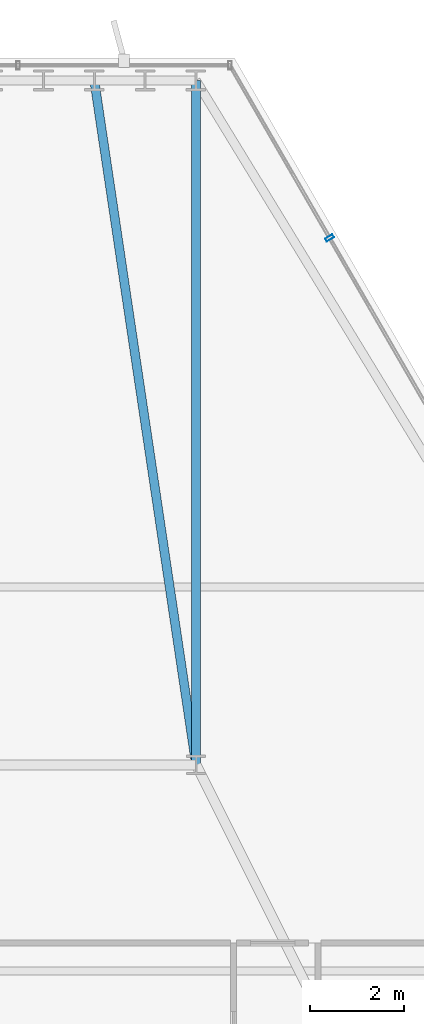
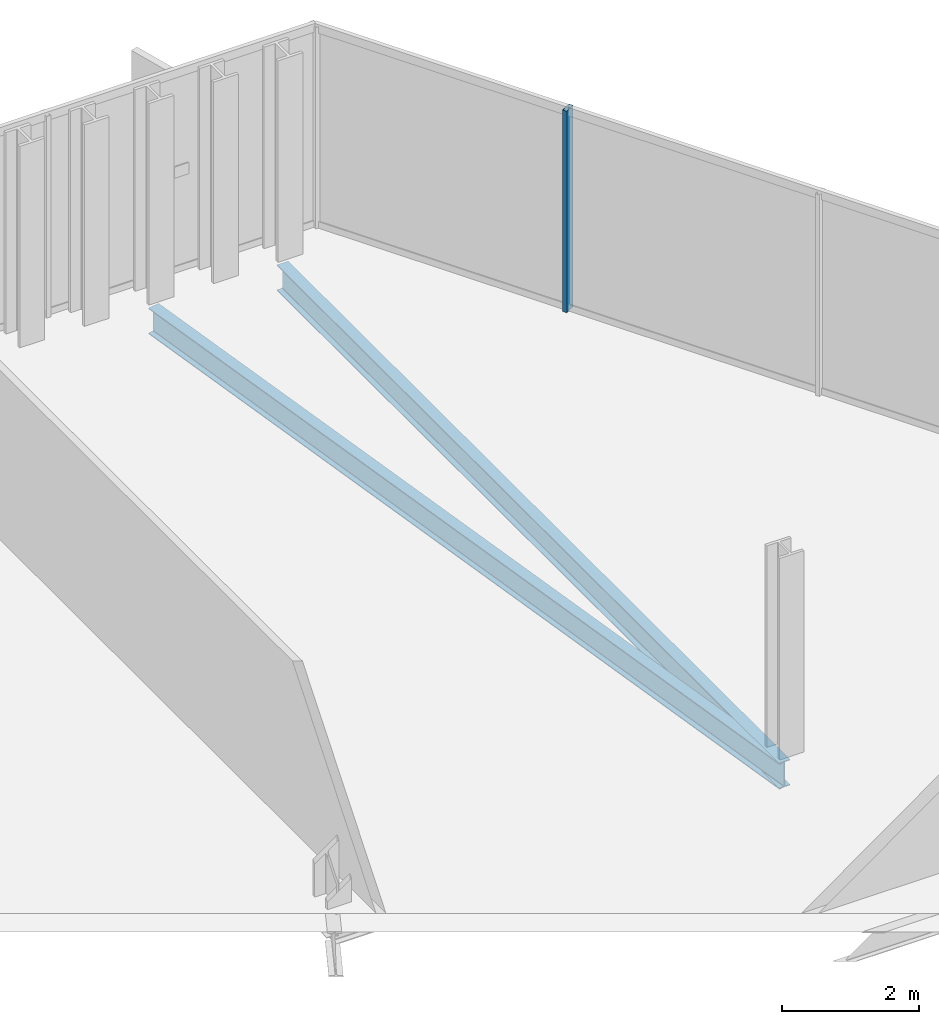
# One storey, part 22 of 34: 2 beams, 1 member, 1 element without a shape of its own.
"""IFC4 building model written with IfcOpenShell, lengths in metres."""

from ifc_helpers import new_model, si_unit, direction, frame, origin, origin_2d, place, context, subcontext, project, spatial, hollow_rectangle, i_section, extrude, material, layer, layer_set, material_profile, profile_set, type_object, element, aggregate, save


model = new_model("IFC4")

# Units and contexts
model_context = context("Model", 3, precision=1e-05, world=origin(), true_north=direction((0.0, 1.0)))
body_context = subcontext(model_context, "Body", "Model", "MODEL_VIEW")
ifc_project = project(units=[si_unit("LENGTHUNIT", "METRE"), si_unit("AREAUNIT", "SQUARE_METRE"), si_unit("VOLUMEUNIT", "CUBIC_METRE"), si_unit("PLANEANGLEUNIT", "RADIAN"), si_unit("MASSUNIT", "GRAM", prefix="KILO")], contexts=[model_context])

# Site, building, storey
site_placement = place(None, origin())
site = spatial("IfcSite", under=ifc_project, at=site_placement, CompositionType="ELEMENT")
building_placement = place(site_placement, origin())
building = spatial("IfcBuilding", under=site, at=building_placement, Name="Ndaravel Arena Tower", CompositionType="ELEMENT")
storey_placement = place(building_placement, frame((0.0, 0.0, 195.39990234375)))
storey = spatial("IfcBuildingStorey", under=building, at=storey_placement, Name="L47", CompositionType="ELEMENT", Elevation=195.39990234375)

# Beams
ifc_material_1 = material(Name="Steel S355", Category="steel")
ifc_material_profile_1 = material_profile(ifc_material_1, i_section(OverallWidth=0.19140625, OverallDepth=0.4599609375, WebThickness=0.010009765625, FlangeThickness=0.01611328125, FilletRadius=0.01025390625, at=origin_2d()), Name="UB 457x191x82")
ifc_profile_set_1 = profile_set([ifc_material_profile_1], Name="Steel S355")
beam_type = type_object("IfcBeamType", Name="BM-GIRD-UB457", PredefinedType="BEAM", material=ifc_profile_set_1)
beam_1_placement = place(storey_placement, frame((45.7958984375, 45.805908203125, -0.449951171875), z_axis=(0.000284157378, -0.999999959627, 0.0), x_axis=(0.999999959627, 0.000284157378, 0.0)))
element("IfcBeam", 1, at=beam_1_placement, inside=storey, type_object=beam_type, Name="L47 Radial Floor Girder FG-11", PredefinedType="BEAM", context=body_context, shape_type="SweptSolid", body=[
    extrude(i_section(OverallWidth=0.19140625, OverallDepth=0.4599609375, WebThickness=0.010009765625, FlangeThickness=0.01611328125, FilletRadius=0.01025390625, at=origin_2d()), origin(), (0.0, 0.0, 1.0), 14.60595703125),
])
beam_2_placement = place(storey_placement, frame((43.626953125, 45.805908203125, -0.449951171875), z_axis=(0.147161602407, -0.989112462148, 0.0), x_axis=(0.989112462148, 0.147161602407, 0.0)))
element("IfcBeam", 2, at=beam_2_placement, inside=storey, type_object=beam_type, Name="L47 Radial Floor Girder FG-13", PredefinedType="BEAM", context=body_context, shape_type="SweptSolid", body=[
    extrude(i_section(OverallWidth=0.19140625, OverallDepth=0.4599609375, WebThickness=0.010009765625, FlangeThickness=0.01611328125, FilletRadius=0.01025390625, at=origin_2d()), origin(), (0.0, 0.0, 1.0), 14.766845703125),
])

# Curtain wall, member
ifc_material_2 = material(Name="Aluminium", Category="aluminium")
ifc_layer = layer(ifc_material_2, 0.179931640625)
ifc_layer_set = layer_set([ifc_layer], Name="Aluminium")
curtain_wall_type = type_object("IfcCurtainWallType", Name="CW-SYS-03", PredefinedType="NOTDEFINED", material=ifc_layer_set)
curtain_wall_placement = place(storey_placement, origin())
curtain_wall = element("IfcCurtainWall", 3, at=curtain_wall_placement, inside=storey, type_object=curtain_wall_type, Name="L47 Faceted Crystal Curtain Wall CW-L47-E03", PredefinedType="NOTDEFINED")
ifc_material_3 = material(Name="Aluminium", Category="aluminium")
ifc_material_profile_2 = material_profile(ifc_material_3, hollow_rectangle(XDim=0.074951171875, YDim=0.179931640625, WallThickness=0.00390625, at=origin_2d()), Name="CW MULLION 75x180x4")
ifc_profile_set_2 = profile_set([ifc_material_profile_2], Name="Aluminium")
member_type = type_object("IfcMemberType", Name="MEM-CW-MUL180", PredefinedType="MULLION", material=ifc_profile_set_2)
member_placement = place(storey_placement, frame((48.6484375, 42.444580078125, 0.0), z_axis=(0.0, 0.0, 1.0), x_axis=(-0.5, 0.866025403784, 0.0)))
member = element("IfcMember", 4, at=member_placement, type_object=member_type, Name="CW-L47-E03 Mullion 08", PredefinedType="MULLION", context=body_context, shape_type="SweptSolid", body=[
    extrude(hollow_rectangle(XDim=0.074951171875, YDim=0.179931640625, WallThickness=0.00390625, at=origin_2d()), origin(), (0.0, 0.0, 1.0), 3.580078125),
])
aggregate(curtain_wall, [member])

save(model, "model.ifc")
